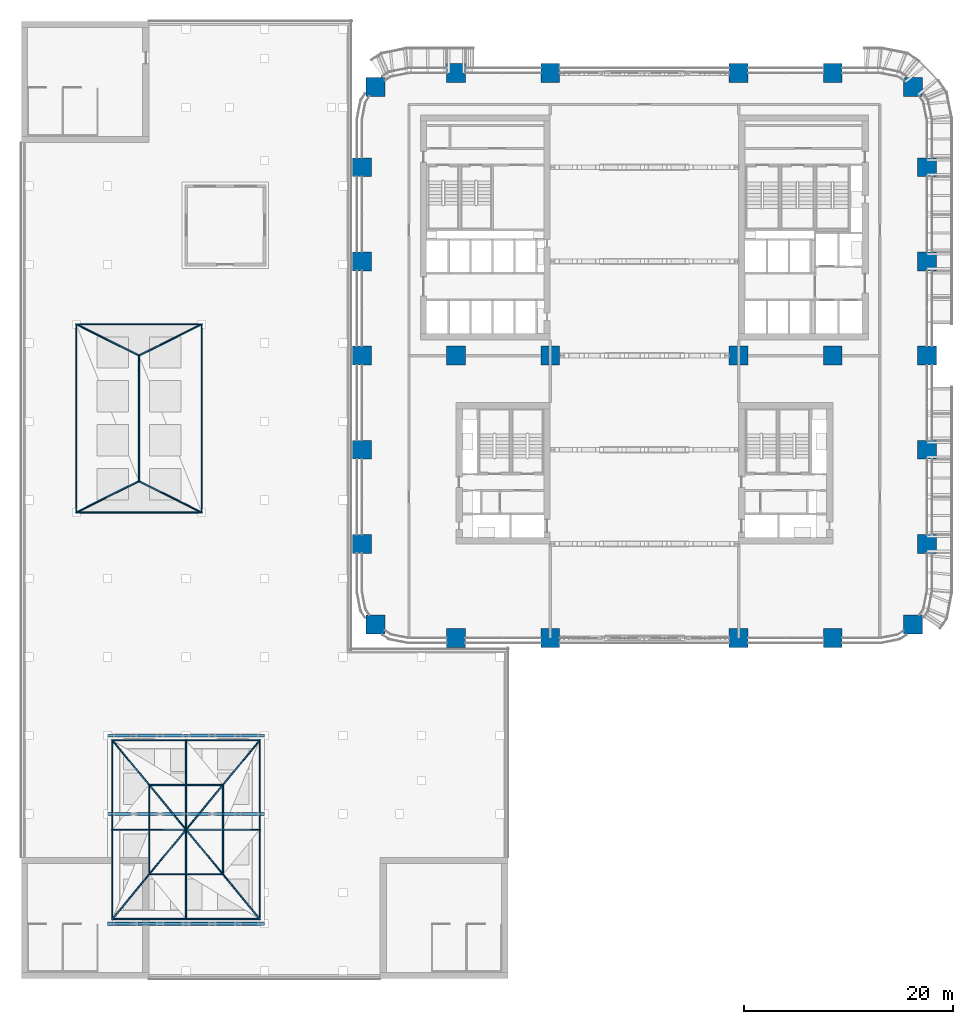
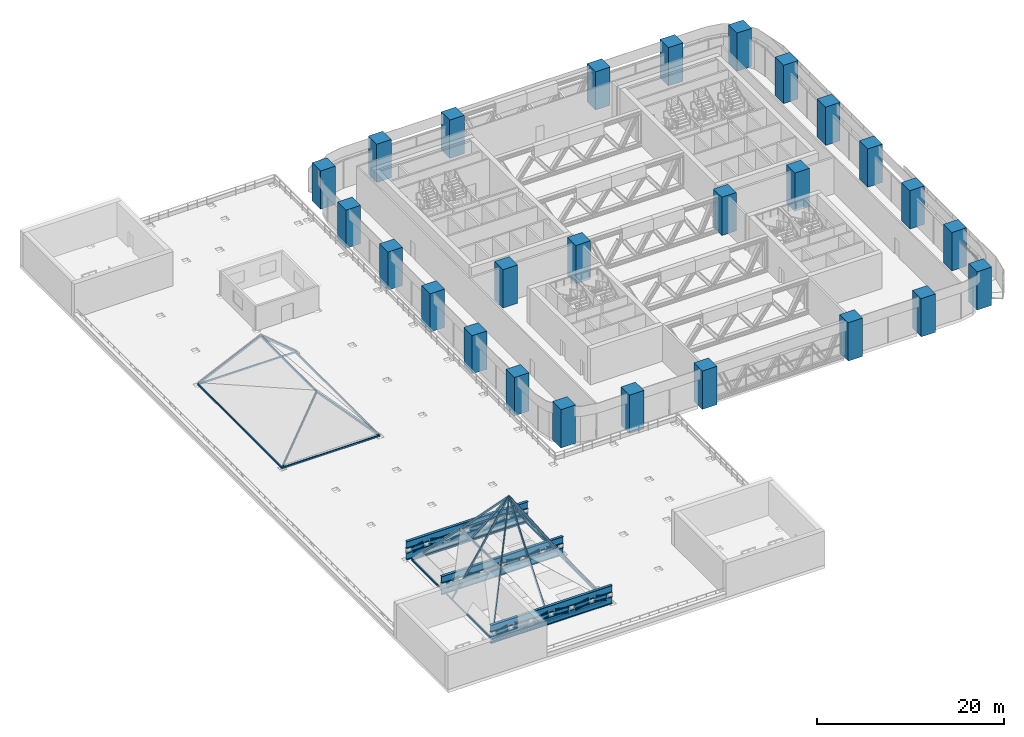
# One storey, part 1 of 35: 65 members, 26 columns.
"""IFC4 building model written with IfcOpenShell, lengths in metres."""

import ifcopenshell
import ifcopenshell.guid

model = None  # the IFC model being written
_history = None  # IfcOwnerHistory: only IFC2X3 demands one
_inside = {}  # id of a spatial element -> (the spatial element, [elements in it])
_under = {}  # id of a project, library or spatial element -> (it, [spatial elements below it])
_declared = {}  # id of a project -> (the project, [libraries it declares])
_typed = {}  # id of a type object -> (the type object, [elements of that type])
_made_of = {}  # id of a material, layer set ... -> (it, [elements and type objects made of it])


def new_model(schema):
    """Start an empty IFC model of exactly this schema.

    Asked for "IFC4X3", IfcOpenShell would pick the latest addendum, in which some entities
    have other attributes; the version numbers below select the first issue.
    IFC2X3 requires an IfcOwnerHistory on every rooted entity: one is made here for all.
    """
    global model, _history
    if schema == "IFC4X3":
        model = ifcopenshell.file(schema_version=(4, 3, 0, 0))
    else:
        model = ifcopenshell.file(schema=schema)
    _inside.clear()
    _under.clear()
    _declared.clear()
    _typed.clear()
    _made_of.clear()
    _history = None
    if model.schema == "IFC2X3":
        org = make("IfcOrganization", Name="unknown")
        user = make(
            "IfcPersonAndOrganization",
            ThePerson=make("IfcPerson", FamilyName="unknown"),
            TheOrganization=org,
        )
        app = make(
            "IfcApplication",
            ApplicationDeveloper=org,
            Version="unknown",
            ApplicationFullName="unknown",
            ApplicationIdentifier="unknown",
        )
        _history = make(
            "IfcOwnerHistory",
            OwningUser=user,
            OwningApplication=app,
            ChangeAction="ADDED",
            CreationDate=0,
        )
    return model


def make(cls, **values):
    """One entity of the class cls with the attributes given. An attribute that is None is left unset."""
    return model.create_entity(
        cls, **{name: value for name, value in values.items() if value is not None}
    )


def rooted(cls, **values):
    """An entity with a GlobalId (a new one), such as an element, a storey or a relation."""
    return make(cls, GlobalId=ifcopenshell.guid.new(), OwnerHistory=_history, **values)


def si_unit(unit_type, name, prefix=None):
    """IfcSIUnit, for example si_unit("LENGTHUNIT", "METRE", prefix="MILLI")."""
    return make("IfcSIUnit", UnitType=unit_type, Prefix=prefix, Name=name)


def assignment(units):
    """IfcUnitAssignment: the units of a project."""
    return None if units is None else make("IfcUnitAssignment", Units=units)


def point(xyz):
    """IfcCartesianPoint."""
    return None if xyz is None else make("IfcCartesianPoint", Coordinates=xyz)


def direction(xyz):
    """IfcDirection."""
    return None if xyz is None else make("IfcDirection", DirectionRatios=xyz)


def frame(location, z_axis=None, x_axis=None):
    """IfcAxis2Placement3D, a coordinate frame: its origin and axes. An axis left out is left unset."""
    return make(
        "IfcAxis2Placement3D",
        Location=point(location),
        Axis=direction(z_axis),
        RefDirection=direction(x_axis),
    )


def frame_2d(location, x_axis=None):
    """IfcAxis2Placement2D, a coordinate frame in the plane: its origin and x axis."""
    return make(
        "IfcAxis2Placement2D", Location=point(location), RefDirection=direction(x_axis)
    )


def origin():
    """The frame at (0, 0, 0) with its axes left unset."""
    return frame((0.0, 0.0, 0.0))


def origin_2d():
    """The frame at (0, 0) in the plane with its x axis left unset."""
    return frame_2d((0.0, 0.0))


def place(relative_to, where):
    """IfcLocalPlacement: puts the frame where relative to a parent placement (None: the world)."""
    return make(
        "IfcLocalPlacement", PlacementRelTo=relative_to, RelativePlacement=where
    )


def context(
    kind, dimensions, precision=None, world=None, true_north=None, identifier=None
):
    """IfcGeometricRepresentationContext, for example the 3D "Model" context."""
    return make(
        "IfcGeometricRepresentationContext",
        ContextIdentifier=identifier,
        ContextType=kind,
        CoordinateSpaceDimension=dimensions,
        Precision=precision,
        WorldCoordinateSystem=world,
        TrueNorth=true_north,
    )


def subcontext(parent, identifier, kind, view, scale=None):
    """IfcGeometricRepresentationSubContext, for example "Body" below "Model"."""
    return make(
        "IfcGeometricRepresentationSubContext",
        ContextIdentifier=identifier,
        ContextType=kind,
        ParentContext=parent,
        TargetScale=scale,
        TargetView=view,
    )


def project(units=None, contexts=None):
    """IfcProject with its units and contexts."""
    return rooted(
        "IfcProject",
        Name="project",
        RepresentationContexts=contexts,
        UnitsInContext=assignment(units),
    )


def spatial(cls, under=None, at=None, **own):
    """A site, building, storey or space (cls), placed at a placement, below another one or the project."""
    s = rooted(cls, ObjectPlacement=at, **own)
    if under is not None:
        _under.setdefault(under.id(), (under, []))[1].append(s)
    return s


def profile(cls, at=None, kind="AREA", **sizes):
    """A parametric profile (cls). Its sizes go by their IFC names, for example OverallWidth=200.0."""
    return make(cls, ProfileType=kind, Position=at, **sizes)


def rectangle(**sizes):
    """IfcRectangleProfileDef."""
    return profile("IfcRectangleProfileDef", **sizes)


def i_section(**sizes):
    """IfcIShapeProfileDef."""
    return profile("IfcIShapeProfileDef", **sizes)


def extrude(swept, where, along, depth):
    """IfcExtrudedAreaSolid: the profile swept, set in the frame where, extruded along a direction by depth."""
    return make(
        "IfcExtrudedAreaSolid",
        SweptArea=swept,
        Position=where,
        ExtrudedDirection=direction(along),
        Depth=depth,
    )


def shape(context_of_items, identifier, shape_type, items):
    """IfcShapeRepresentation: the items that make up one representation, for example the "Body"."""
    return make(
        "IfcShapeRepresentation",
        ContextOfItems=context_of_items,
        RepresentationIdentifier=identifier,
        RepresentationType=shape_type,
        Items=items,
    )


def material(Name=None, Category=None):
    """IfcMaterial."""
    return make("IfcMaterial", Name=Name, Category=Category)


def material_profile(
    of_material, cross_section, Name=None, Category=None, Priority=None
):
    """IfcMaterialProfile: a cross section and its material."""
    return make(
        "IfcMaterialProfile",
        Name=Name,
        Material=of_material,
        Profile=cross_section,
        Priority=Priority,
        Category=Category,
    )


def profile_set(profiles, Name=None, composite=None):
    """IfcMaterialProfileSet."""
    return make(
        "IfcMaterialProfileSet",
        Name=Name,
        MaterialProfiles=profiles,
        CompositeProfile=composite,
    )


def made_of(thing, what):
    """Note that an element or type object is made of a material, layer set ...; save() writes the relation."""
    if what is not None:
        _made_of.setdefault(what.id(), (what, []))[1].append(thing)
    return thing


def type_object(cls, material=None, **own):
    """A type object (cls), such as IfcWallType, which elements share."""
    return made_of(rooted(cls, **own), material)


def element(
    cls,
    number,
    at=None,
    inside=None,
    cuts=None,
    type_object=None,
    material=None,
    context=None,
    identifier="Body",
    shape_type=None,
    held_by="IfcProductDefinitionShape",
    body=None,
    shapes=None,
    **own,
):
    """One element of the class cls, such as IfcWall. Its Tag is "e" and its number.

    at: its placement. inside: the storey or other place that contains it. cuts: it is an
    opening in that element (IfcRelVoidsElement). A single representation is given by context,
    identifier, shape_type and body (its items); several are given by shapes. held_by: the class
    of the entity that holds the representations. save() writes the other relations.
    """
    e = rooted(cls, Tag="e%d" % number, ObjectPlacement=at, **own)
    if body is not None:
        shapes = [shape(context, identifier, shape_type, body)]
    if shapes is not None:
        e.Representation = make(held_by, Representations=shapes)
    if inside is not None:
        _inside.setdefault(inside.id(), (inside, []))[1].append(e)
    if cuts is not None:
        rooted(
            "IfcRelVoidsElement", RelatingBuildingElement=cuts, RelatedOpeningElement=e
        )
    if type_object is not None:
        _typed.setdefault(type_object.id(), (type_object, []))[1].append(e)
    return made_of(e, material)


def aggregate(whole, parts):
    """IfcRelAggregates: a whole, such as a stair, and the parts it consists of."""
    return rooted("IfcRelAggregates", RelatingObject=whole, RelatedObjects=parts)


def save(model, path):
    """Write the relations noted so far, then the file.

    IfcRelAggregates (storeys below a building ...), IfcRelContainedInSpatialStructure (elements
    in a storey), IfcRelDefinesByType, IfcRelAssociatesMaterial and IfcRelDeclares: one each for
    every whole, place, type object, material and project.
    """
    for whole, parts in _under.values():
        aggregate(whole, parts)
    for where, things in _inside.values():
        rooted(
            "IfcRelContainedInSpatialStructure",
            RelatedElements=things,
            RelatingStructure=where,
        )
    for kind, things in _typed.values():
        rooted("IfcRelDefinesByType", RelatedObjects=things, RelatingType=kind)
    for what, things in _made_of.values():
        rooted("IfcRelAssociatesMaterial", RelatedObjects=things, RelatingMaterial=what)
    for by, libraries in _declared.values():
        rooted("IfcRelDeclares", RelatingContext=by, RelatedDefinitions=libraries)
    model.write(path)


model = new_model("IFC4")

# Units and contexts
model_context = context("Model", 3, precision=1e-05, world=origin(), true_north=direction((0.0, 1.0)))
body_context = subcontext(model_context, "Body", "Model", "MODEL_VIEW")
ifc_project = project(units=[si_unit("LENGTHUNIT", "METRE"), si_unit("AREAUNIT", "SQUARE_METRE"), si_unit("VOLUMEUNIT", "CUBIC_METRE"), si_unit("PLANEANGLEUNIT", "RADIAN"), si_unit("MASSUNIT", "GRAM", prefix="KILO")], contexts=[model_context])

# Site, building, storey
site_placement = place(None, origin())
site = spatial("IfcSite", under=ifc_project, at=site_placement, CompositionType="ELEMENT")
building_placement = place(site_placement, origin())
building = spatial("IfcBuilding", under=site, at=building_placement, Name="Tessera Arch", CompositionType="ELEMENT")
storey_placement = place(building_placement, frame((0.0, 0.0, 26.0)))
storey = spatial("IfcBuildingStorey", under=building, at=storey_placement, Name="L04", CompositionType="ELEMENT", Elevation=26.0)

# Columns
ifc_material_1 = material(Name="Concrete C80/95", Category="concrete")
ifc_material_profile_1 = material_profile(ifc_material_1, rectangle(XDim=1.800048828125, YDim=1.800048828125, at=origin_2d()), Name="RC column 1800 x 1800 Concrete C80/95")
ifc_profile_set_1 = profile_set([ifc_material_profile_1], Name="Concrete C80/95")
column_type = type_object("IfcColumnType", Name="RC column 1800 x 1800 Concrete C80/95", PredefinedType="COLUMN", material=ifc_profile_set_1)
for number, where, z_axis, x_axis, name in (
    (1, (1.318115234375, 1.318115234375, 0.0), (0.0, 0.0, 1.0), (1.0, 0.0, 0.0), "Column C1A L04"),
    (2, (0.0, 9.0, 0.0), (0.0, 0.0, 1.0), (1.0, 0.0, 0.0), "Column C1B L04"),
    (3, (0.0, 18.0, 0.0), (0.0, 0.0, 1.0), (1.0, 0.0, 0.0), "Column C1C L04"),
    (4, (0.0, 27.0, 0.0), (0.0, 0.0, 1.0), (1.0, 0.0, 0.0), "Column C1D L04"),
    (5, (0.0, 36.0, 0.0), (0.0, 0.0, 1.0), (1.0, 0.0, 0.0), "Column C1E L04"),
    (6, (0.0, 45.0, 0.0), (0.0, 0.0, 1.0), (1.0, 0.0, 0.0), "Column C1F L04"),
    (7, (1.318115234375, 52.681884765625, 0.0), (0.0, 0.0, 1.0), (1.0, 0.0, 0.0), "Column C1G L04"),
    (8, (9.0, 0.0, 0.0), (0.0, 0.0, 1.0), (1.0, 0.0, 0.0), "Column C2A L04"),
    (9, (9.0, 27.0, 0.0), (0.0, 0.0, 1.0), (1.0, 0.0, 0.0), "Column C2D L04"),
    (10, (9.0, 54.0, 0.0), (0.0, 0.0, 1.0), (1.0, 0.0, 0.0), "Column C2G L04"),
    (11, (18.0, 0.0, 0.0), (0.0, 0.0, 1.0), (1.0, 0.0, 0.0), "Column C3A L04"),
    (12, (18.0, 27.0, 0.0), (0.0, 0.0, 1.0), (1.0, 0.0, 0.0), "Column C3D L04"),
    (13, (18.0, 54.0, 0.0), (0.0, 0.0, 1.0), (1.0, 0.0, 0.0), "Column C3G L04"),
    (14, (36.0, 0.0, 0.0), (0.0, 0.0, 1.0), (1.0, 0.0, 0.0), "Column C5A L04"),
    (15, (36.0, 27.0, 0.0), (0.0, 0.0, 1.0), (1.0, 0.0, 0.0), "Column C5D L04"),
    (16, (36.0, 54.0, 0.0), (0.0, 0.0, 1.0), (1.0, 0.0, 0.0), "Column C5G L04"),
    (17, (45.0, 0.0, 0.0), (0.0, 0.0, 1.0), (1.0, 0.0, 0.0), "Column C6A L04"),
    (18, (45.0, 27.0, 0.0), (0.0, 0.0, 1.0), (1.0, 0.0, 0.0), "Column C6D L04"),
    (19, (45.0, 54.0, 0.0), (0.0, 0.0, 1.0), (1.0, 0.0, 0.0), "Column C6G L04"),
    (20, (52.681884765625, 1.318115234375, 0.0), (0.0, 0.0, 1.0), (1.0, 0.0, 0.0), "Column C7A L04"),
    (21, (54.0, 9.0, 0.0), (0.0, 0.0, 1.0), (1.0, 0.0, 0.0), "Column C7B L04"),
    (22, (54.0, 18.0, 0.0), (0.0, 0.0, 1.0), (1.0, 0.0, 0.0), "Column C7C L04"),
    (23, (54.0, 27.0, 0.0), (0.0, 0.0, 1.0), (1.0, 0.0, 0.0), "Column C7D L04"),
    (24, (54.0, 36.0, 0.0), (0.0, 0.0, 1.0), (1.0, 0.0, 0.0), "Column C7E L04"),
    (25, (54.0, 45.0, 0.0), (0.0, 0.0, 1.0), (1.0, 0.0, 0.0), "Column C7F L04"),
    (26, (52.681884765625, 52.681884765625, 0.0), (0.0, 0.0, 1.0), (1.0, 0.0, 0.0), "Column C7G L04"),
):
    element("IfcColumn", number, at=place(storey_placement, frame(where, z_axis=z_axis, x_axis=x_axis)), inside=storey, type_object=column_type, Name=name, PredefinedType="COLUMN", context=body_context, shape_type="SweptSolid", body=[
        extrude(rectangle(XDim=1.800048828125, YDim=1.800048828125, at=origin_2d()), origin(), (0.0, 0.0, 1.0), 5.0),
    ])

# Members
ifc_material_2 = material(Name="Steel A992 Gr50", Category="steel")
ifc_material_profile_2 = material_profile(ifc_material_2, i_section(OverallWidth=0.307373046875, OverallDepth=0.927001953125, WebThickness=0.01953125, FlangeThickness=0.031982421875, at=origin_2d()), Name="W36x194")
ifc_profile_set_2 = profile_set([ifc_material_profile_2], Name="Steel A992 Gr50")
member_type_1 = type_object("IfcMemberType", Name="Museum truss chord W36x194 Steel A992 Gr50", PredefinedType="CHORD", material=ifc_profile_set_2)
for number, where, z_axis, x_axis, name in (
    (27, (-24.300048828125, -27.300048828125, 0.463623046875), (1.0, 0.0, 0.0), (0.0, 1.0, 0.0), "Museum truss A1 bottom chord"),
    (28, (-24.300048828125, -27.300048828125, 1.9365234375), (1.0, 0.0, 0.0), (0.0, 1.0, 0.0), "Museum truss A1 top chord"),
    (29, (-24.300048828125, -16.800048828125, 0.463623046875), (1.0, 0.0, 0.0), (0.0, 1.0, 0.0), "Museum truss A2 bottom chord"),
    (30, (-24.300048828125, -16.800048828125, 1.9365234375), (1.0, 0.0, 0.0), (0.0, 1.0, 0.0), "Museum truss A2 top chord"),
    (31, (-24.300048828125, -9.300048828125, 0.463623046875), (1.0, 0.0, 0.0), (0.0, 1.0, 0.0), "Museum truss A3 bottom chord"),
    (32, (-24.300048828125, -9.300048828125, 1.9365234375), (1.0, 0.0, 0.0), (0.0, 1.0, 0.0), "Museum truss A3 top chord"),
):
    element("IfcMember", number, at=place(storey_placement, frame(where, z_axis=z_axis, x_axis=x_axis)), inside=storey, type_object=member_type_1, Name=name, PredefinedType="CHORD", context=body_context, shape_type="SweptSolid", body=[
        extrude(i_section(OverallWidth=0.307373046875, OverallDepth=0.927001953125, WebThickness=0.01953125, FlangeThickness=0.031982421875, at=origin_2d()), origin(), (0.0, 0.0, 1.0), 15.0),
    ])
ifc_material_3 = material(Name="Steel A992 Gr50", Category="steel")
ifc_material_profile_3 = material_profile(ifc_material_3, i_section(OverallWidth=0.256591796875, OverallDepth=0.693359375, WebThickness=0.014404296875, FlangeThickness=0.023681640625, at=origin_2d()), Name="W27x114")
ifc_profile_set_3 = profile_set([ifc_material_profile_3], Name="Steel A992 Gr50")
member_type_2 = type_object("IfcMemberType", Name="Museum truss diagonal W27x114 Steel A992 Gr50", PredefinedType="BRACE", material=ifc_profile_set_3)
member_1_placement = place(storey_placement, frame((-23.675537109375, -27.300048828125, 1.0068359375), z_axis=(0.970491173137, 0.0, 0.241136647699), x_axis=(0.0, 1.0, 0.0)))
element("IfcMember", 33, at=member_1_placement, inside=storey, type_object=member_type_2, Name="Museum truss A1 diagonal 1", PredefinedType="BRACE", context=body_context, shape_type="SweptSolid", body=[
    extrude(i_section(OverallWidth=0.256591796875, OverallDepth=0.693359375, WebThickness=0.014404296875, FlangeThickness=0.023681640625, at=origin_2d()), origin(), (0.0, 0.0, 1.0), 1.601806640625),
])
for number, where, z_axis, x_axis, name in (
    (34, (-21.47900390625, -27.300048828125, 1.40283203125), (0.976998743123, 0.0, -0.213245060753), (0.0, 1.0, 0.0), "Museum truss A1 diagonal 2"),
    (35, (-18.97900390625, -27.300048828125, 0.997314453125), (0.976998743123, 0.0, 0.213245060753), (0.0, 1.0, 0.0), "Museum truss A1 diagonal 3"),
    (36, (-16.47900390625, -27.300048828125, 1.40283203125), (0.976998743123, 0.0, -0.213245060753), (0.0, 1.0, 0.0), "Museum truss A1 diagonal 4"),
    (37, (-13.97900390625, -27.300048828125, 0.997314453125), (0.976998743123, 0.0, 0.213245060753), (0.0, 1.0, 0.0), "Museum truss A1 diagonal 5"),
):
    element("IfcMember", number, at=place(storey_placement, frame(where, z_axis=z_axis, x_axis=x_axis)), inside=storey, type_object=member_type_2, Name=name, PredefinedType="BRACE", context=body_context, shape_type="SweptSolid", body=[
        extrude(i_section(OverallWidth=0.256591796875, OverallDepth=0.693359375, WebThickness=0.014404296875, FlangeThickness=0.023681640625, at=origin_2d()), origin(), (0.0, 0.0, 1.0), 1.901611328125),
    ])
for number, where, z_axis, x_axis, name in (
    (38, (-11.47900390625, -27.300048828125, 1.39306640625), (0.970491173137, 0.0, -0.241136647699), (0.0, 1.0, 0.0), "Museum truss A1 diagonal 6"),
    (39, (-23.675537109375, -16.800048828125, 1.0068359375), (0.970491173137, 0.0, 0.241136647699), (0.0, 1.0, 0.0), "Museum truss A2 diagonal 1"),
):
    element("IfcMember", number, at=place(storey_placement, frame(where, z_axis=z_axis, x_axis=x_axis)), inside=storey, type_object=member_type_2, Name=name, PredefinedType="BRACE", context=body_context, shape_type="SweptSolid", body=[
        extrude(i_section(OverallWidth=0.256591796875, OverallDepth=0.693359375, WebThickness=0.014404296875, FlangeThickness=0.023681640625, at=origin_2d()), origin(), (0.0, 0.0, 1.0), 1.601806640625),
    ])
for number, where, z_axis, x_axis, name in (
    (40, (-21.47900390625, -16.800048828125, 1.40283203125), (0.976998743123, 0.0, -0.213245060753), (0.0, 1.0, 0.0), "Museum truss A2 diagonal 2"),
    (41, (-18.97900390625, -16.800048828125, 0.997314453125), (0.976998743123, 0.0, 0.213245060753), (0.0, 1.0, 0.0), "Museum truss A2 diagonal 3"),
    (42, (-16.47900390625, -16.800048828125, 1.40283203125), (0.976998743123, 0.0, -0.213245060753), (0.0, 1.0, 0.0), "Museum truss A2 diagonal 4"),
    (43, (-13.97900390625, -16.800048828125, 0.997314453125), (0.976998743123, 0.0, 0.213245060753), (0.0, 1.0, 0.0), "Museum truss A2 diagonal 5"),
):
    element("IfcMember", number, at=place(storey_placement, frame(where, z_axis=z_axis, x_axis=x_axis)), inside=storey, type_object=member_type_2, Name=name, PredefinedType="BRACE", context=body_context, shape_type="SweptSolid", body=[
        extrude(i_section(OverallWidth=0.256591796875, OverallDepth=0.693359375, WebThickness=0.014404296875, FlangeThickness=0.023681640625, at=origin_2d()), origin(), (0.0, 0.0, 1.0), 1.901611328125),
    ])
for number, where, z_axis, x_axis, name in (
    (44, (-11.47900390625, -16.800048828125, 1.39306640625), (0.970491173137, 0.0, -0.241136647699), (0.0, 1.0, 0.0), "Museum truss A2 diagonal 6"),
    (45, (-23.675537109375, -9.300048828125, 1.0068359375), (0.970491173137, 0.0, 0.241136647699), (0.0, 1.0, 0.0), "Museum truss A3 diagonal 1"),
):
    element("IfcMember", number, at=place(storey_placement, frame(where, z_axis=z_axis, x_axis=x_axis)), inside=storey, type_object=member_type_2, Name=name, PredefinedType="BRACE", context=body_context, shape_type="SweptSolid", body=[
        extrude(i_section(OverallWidth=0.256591796875, OverallDepth=0.693359375, WebThickness=0.014404296875, FlangeThickness=0.023681640625, at=origin_2d()), origin(), (0.0, 0.0, 1.0), 1.601806640625),
    ])
for number, where, z_axis, x_axis, name in (
    (46, (-21.47900390625, -9.300048828125, 1.40283203125), (0.976998743123, 0.0, -0.213245060753), (0.0, 1.0, 0.0), "Museum truss A3 diagonal 2"),
    (47, (-18.97900390625, -9.300048828125, 0.997314453125), (0.976998743123, 0.0, 0.213245060753), (0.0, 1.0, 0.0), "Museum truss A3 diagonal 3"),
    (48, (-16.47900390625, -9.300048828125, 1.40283203125), (0.976998743123, 0.0, -0.213245060753), (0.0, 1.0, 0.0), "Museum truss A3 diagonal 4"),
    (49, (-13.97900390625, -9.300048828125, 0.997314453125), (0.976998743123, 0.0, 0.213245060753), (0.0, 1.0, 0.0), "Museum truss A3 diagonal 5"),
):
    element("IfcMember", number, at=place(storey_placement, frame(where, z_axis=z_axis, x_axis=x_axis)), inside=storey, type_object=member_type_2, Name=name, PredefinedType="BRACE", context=body_context, shape_type="SweptSolid", body=[
        extrude(i_section(OverallWidth=0.256591796875, OverallDepth=0.693359375, WebThickness=0.014404296875, FlangeThickness=0.023681640625, at=origin_2d()), origin(), (0.0, 0.0, 1.0), 1.901611328125),
    ])
member_2_placement = place(storey_placement, frame((-11.47900390625, -9.300048828125, 1.39306640625), z_axis=(0.970491173137, 0.0, -0.241136647699), x_axis=(0.0, 1.0, 0.0)))
element("IfcMember", 50, at=member_2_placement, inside=storey, type_object=member_type_2, Name="Museum truss A3 diagonal 6", PredefinedType="BRACE", context=body_context, shape_type="SweptSolid", body=[
    extrude(i_section(OverallWidth=0.256591796875, OverallDepth=0.693359375, WebThickness=0.014404296875, FlangeThickness=0.023681640625, at=origin_2d()), origin(), (0.0, 0.0, 1.0), 1.601806640625),
])
ifc_material_4 = material(Name="Aluminium alloy 6063-T6", Category="aluminium")
ifc_material_profile_4 = material_profile(ifc_material_4, rectangle(XDim=0.1201171875, YDim=0.199951171875, at=origin_2d()), Name="AL 120x200")
ifc_profile_set_4 = profile_set([ifc_material_profile_4], Name="Aluminium alloy 6063-T6")
member_type_3 = type_object("IfcMemberType", Name="Roof rib pale metal", PredefinedType="RAFTER", material=ifc_profile_set_4)
member_3_placement = place(storey_placement, frame((-23.85009765625, -26.85009765625, 0.10009765625), z_axis=(1.0, 0.0, 0.0), x_axis=(0.0, 1.0, 0.0)))
element("IfcMember", 51, at=member_3_placement, inside=storey, type_object=member_type_3, Name="Atrium roof base rib 1", PredefinedType="RAFTER", context=body_context, shape_type="SweptSolid", body=[
    extrude(rectangle(XDim=0.1201171875, YDim=0.199951171875, at=origin_2d()), origin(), (0.0, 0.0, 1.0), 7.050048828125),
])
member_4_placement = place(storey_placement, frame((-20.324951171875, -22.574951171875, 5.5), z_axis=(1.0, 0.0, 0.0), x_axis=(0.0, 1.0, 0.0)))
element("IfcMember", 52, at=member_4_placement, inside=storey, type_object=member_type_3, Name="Atrium roof ring rib 1", PredefinedType="RAFTER", context=body_context, shape_type="SweptSolid", body=[
    extrude(rectangle(XDim=0.1201171875, YDim=0.199951171875, at=origin_2d()), origin(), (0.0, 0.0, 1.0), 3.52490234375),
])
member_5_placement = place(storey_placement, frame((-23.85009765625, -26.85009765625, 0.10009765625), z_axis=(0.455616888732, 0.552552624045, 0.697924672413), x_axis=(-0.771537089841, 0.636184343567, 0.0)))
element("IfcMember", 53, at=member_5_placement, inside=storey, type_object=member_type_3, Name="Atrium roof hip rib 1", PredefinedType="RAFTER", context=body_context, shape_type="SweptSolid", body=[
    extrude(rectangle(XDim=0.1201171875, YDim=0.199951171875, at=origin_2d()), origin(), (0.0, 0.0, 1.0), 7.737060546875),
])
member_6_placement = place(storey_placement, frame((-20.324951171875, -22.574951171875, 5.5), z_axis=(0.447443633999, 0.542647044696, 0.710864529483), x_axis=(-0.77154088405, 0.636179742085, 0.0)))
element("IfcMember", 54, at=member_6_placement, inside=storey, type_object=member_type_3, Name="Atrium roof crown rib 1", PredefinedType="RAFTER", context=body_context, shape_type="SweptSolid", body=[
    extrude(rectangle(XDim=0.1201171875, YDim=0.199951171875, at=origin_2d()), origin(), (0.0, 0.0, 1.0), 7.8779296875),
])
member_7_placement = place(storey_placement, frame((-16.800048828125, -26.85009765625, 0.10009765625), z_axis=(1.0, 0.0, 0.0), x_axis=(0.0, 1.0, 0.0)))
element("IfcMember", 55, at=member_7_placement, inside=storey, type_object=member_type_3, Name="Atrium roof base rib 2", PredefinedType="RAFTER", context=body_context, shape_type="SweptSolid", body=[
    extrude(rectangle(XDim=0.1201171875, YDim=0.199951171875, at=origin_2d()), origin(), (0.0, 0.0, 1.0), 7.050048828125),
])
member_8_placement = place(storey_placement, frame((-16.800048828125, -22.574951171875, 5.5), z_axis=(1.0, 0.0, 0.0), x_axis=(0.0, 1.0, 0.0)))
element("IfcMember", 56, at=member_8_placement, inside=storey, type_object=member_type_3, Name="Atrium roof ring rib 2", PredefinedType="RAFTER", context=body_context, shape_type="SweptSolid", body=[
    extrude(rectangle(XDim=0.1201171875, YDim=0.199951171875, at=origin_2d()), origin(), (0.0, 0.0, 1.0), 3.525146484375),
])
member_9_placement = place(storey_placement, frame((-16.800048828125, -26.85009765625, 0.10009765625), z_axis=(0.0, 0.620722918905, 0.78403001087), x_axis=(-1.0, 0.0, 0.0)))
element("IfcMember", 57, at=member_9_placement, inside=storey, type_object=member_type_3, Name="Atrium roof hip rib 2", PredefinedType="RAFTER", context=body_context, shape_type="SweptSolid", body=[
    extrude(rectangle(XDim=0.1201171875, YDim=0.199951171875, at=origin_2d()), origin(), (0.0, 0.0, 1.0), 6.887451171875),
])
member_10_placement = place(storey_placement, frame((-16.800048828125, -22.574951171875, 5.5), z_axis=(0.0, 0.606775893561, 0.794872955254), x_axis=(-1.0, 0.0, 0.0)))
element("IfcMember", 58, at=member_10_placement, inside=storey, type_object=member_type_3, Name="Atrium roof crown rib 2", PredefinedType="RAFTER", context=body_context, shape_type="SweptSolid", body=[
    extrude(rectangle(XDim=0.1201171875, YDim=0.199951171875, at=origin_2d()), origin(), (0.0, 0.0, 1.0), 7.045166015625),
])
member_11_placement = place(storey_placement, frame((-9.75, -26.85009765625, 0.10009765625), z_axis=(0.0, 1.0, 0.0), x_axis=(-1.0, 0.0, 0.0)))
element("IfcMember", 59, at=member_11_placement, inside=storey, type_object=member_type_3, Name="Atrium roof base rib 3", PredefinedType="RAFTER", context=body_context, shape_type="SweptSolid", body=[
    extrude(rectangle(XDim=0.1201171875, YDim=0.199951171875, at=origin_2d()), origin(), (0.0, 0.0, 1.0), 8.550048828125),
])
member_12_placement = place(storey_placement, frame((-13.27490234375, -22.574951171875, 5.5), z_axis=(0.0, 1.0, 0.0), x_axis=(-1.0, 0.0, 0.0)))
element("IfcMember", 60, at=member_12_placement, inside=storey, type_object=member_type_3, Name="Atrium roof ring rib 3", PredefinedType="RAFTER", context=body_context, shape_type="SweptSolid", body=[
    extrude(rectangle(XDim=0.1201171875, YDim=0.199951171875, at=origin_2d()), origin(), (0.0, 0.0, 1.0), 4.27490234375),
])
member_13_placement = place(storey_placement, frame((-9.75, -26.85009765625, 0.10009765625), z_axis=(-0.455591883909, 0.552560567885, 0.697934706212), x_axis=(-0.771558716471, -0.636158114809, 0.0)))
element("IfcMember", 61, at=member_13_placement, inside=storey, type_object=member_type_3, Name="Atrium roof hip rib 3", PredefinedType="RAFTER", context=body_context, shape_type="SweptSolid", body=[
    extrude(rectangle(XDim=0.1201171875, YDim=0.199951171875, at=origin_2d()), origin(), (0.0, 0.0, 1.0), 7.737060546875),
])
member_14_placement = place(storey_placement, frame((-13.27490234375, -22.574951171875, 5.5), z_axis=(-0.44746841966, 0.542639519929, 0.71085467208), x_axis=(-0.771519256448, -0.636205970523, 0.0)))
element("IfcMember", 62, at=member_14_placement, inside=storey, type_object=member_type_3, Name="Atrium roof crown rib 3", PredefinedType="RAFTER", context=body_context, shape_type="SweptSolid", body=[
    extrude(rectangle(XDim=0.1201171875, YDim=0.199951171875, at=origin_2d()), origin(), (0.0, 0.0, 1.0), 7.8779296875),
])
member_15_placement = place(storey_placement, frame((-9.75, -18.300048828125, 0.10009765625), z_axis=(0.0, 1.0, 0.0), x_axis=(-1.0, 0.0, 0.0)))
element("IfcMember", 63, at=member_15_placement, inside=storey, type_object=member_type_3, Name="Atrium roof base rib 4", PredefinedType="RAFTER", context=body_context, shape_type="SweptSolid", body=[
    extrude(rectangle(XDim=0.1201171875, YDim=0.199951171875, at=origin_2d()), origin(), (0.0, 0.0, 1.0), 8.550048828125),
])
member_16_placement = place(storey_placement, frame((-13.27490234375, -18.300048828125, 5.5), z_axis=(0.0, 1.0, 0.0), x_axis=(-1.0, 0.0, 0.0)))
element("IfcMember", 64, at=member_16_placement, inside=storey, type_object=member_type_3, Name="Atrium roof ring rib 4", PredefinedType="RAFTER", context=body_context, shape_type="SweptSolid", body=[
    extrude(rectangle(XDim=0.1201171875, YDim=0.199951171875, at=origin_2d()), origin(), (0.0, 0.0, 1.0), 4.275146484375),
])
member_17_placement = place(storey_placement, frame((-9.75, -18.300048828125, 0.10009765625), z_axis=(-0.546618813792, 0.0, 0.837381557242), x_axis=(0.0, -1.0, 0.0)))
element("IfcMember", 65, at=member_17_placement, inside=storey, type_object=member_type_3, Name="Atrium roof hip rib 4", PredefinedType="RAFTER", context=body_context, shape_type="SweptSolid", body=[
    extrude(rectangle(XDim=0.1201171875, YDim=0.199951171875, at=origin_2d()), origin(), (0.0, 0.0, 1.0), 6.448486328125),
])
member_18_placement = place(storey_placement, frame((-13.27490234375, -18.300048828125, 5.5), z_axis=(-0.532722262148, 0.0, 0.846290134299), x_axis=(0.0, -1.0, 0.0)))
element("IfcMember", 66, at=member_18_placement, inside=storey, type_object=member_type_3, Name="Atrium roof crown rib 4", PredefinedType="RAFTER", context=body_context, shape_type="SweptSolid", body=[
    extrude(rectangle(XDim=0.1201171875, YDim=0.199951171875, at=origin_2d()), origin(), (0.0, 0.0, 1.0), 6.6171875),
])
member_19_placement = place(storey_placement, frame((-9.75, -9.75, 0.10009765625), z_axis=(-1.0, 0.0, 0.0), x_axis=(0.0, -1.0, 0.0)))
element("IfcMember", 67, at=member_19_placement, inside=storey, type_object=member_type_3, Name="Atrium roof base rib 5", PredefinedType="RAFTER", context=body_context, shape_type="SweptSolid", body=[
    extrude(rectangle(XDim=0.1201171875, YDim=0.199951171875, at=origin_2d()), origin(), (0.0, 0.0, 1.0), 7.050048828125),
])
member_20_placement = place(storey_placement, frame((-13.27490234375, -14.02490234375, 5.5), z_axis=(-1.0, 0.0, 0.0), x_axis=(0.0, -1.0, 0.0)))
element("IfcMember", 68, at=member_20_placement, inside=storey, type_object=member_type_3, Name="Atrium roof ring rib 5", PredefinedType="RAFTER", context=body_context, shape_type="SweptSolid", body=[
    extrude(rectangle(XDim=0.1201171875, YDim=0.199951171875, at=origin_2d()), origin(), (0.0, 0.0, 1.0), 3.525146484375),
])
member_21_placement = place(storey_placement, frame((-9.75, -9.75, 0.10009765625), z_axis=(-0.455599827626, -0.552538646746, 0.697946875428), x_axis=(0.77154088405, -0.636179742085, 0.0)))
element("IfcMember", 69, at=member_21_placement, inside=storey, type_object=member_type_3, Name="Atrium roof hip rib 5", PredefinedType="RAFTER", context=body_context, shape_type="SweptSolid", body=[
    extrude(rectangle(XDim=0.1201171875, YDim=0.199951171875, at=origin_2d()), origin(), (0.0, 0.0, 1.0), 7.73681640625),
])
member_22_placement = place(storey_placement, frame((-13.27490234375, -14.02490234375, 5.5), z_axis=(-0.447460894764, -0.542661384321, 0.710842717923), x_axis=(0.771537089841, -0.636184343567, 0.0)))
element("IfcMember", 70, at=member_22_placement, inside=storey, type_object=member_type_3, Name="Atrium roof crown rib 5", PredefinedType="RAFTER", context=body_context, shape_type="SweptSolid", body=[
    extrude(rectangle(XDim=0.1201171875, YDim=0.199951171875, at=origin_2d()), origin(), (0.0, 0.0, 1.0), 7.878173828125),
])
member_23_placement = place(storey_placement, frame((-16.800048828125, -9.75, 0.10009765625), z_axis=(-1.0, 0.0, 0.0), x_axis=(0.0, -1.0, 0.0)))
element("IfcMember", 71, at=member_23_placement, inside=storey, type_object=member_type_3, Name="Atrium roof base rib 6", PredefinedType="RAFTER", context=body_context, shape_type="SweptSolid", body=[
    extrude(rectangle(XDim=0.1201171875, YDim=0.199951171875, at=origin_2d()), origin(), (0.0, 0.0, 1.0), 7.050048828125),
])
member_24_placement = place(storey_placement, frame((-16.800048828125, -14.02490234375, 5.5), z_axis=(-1.0, 0.0, 0.0), x_axis=(0.0, -1.0, 0.0)))
element("IfcMember", 72, at=member_24_placement, inside=storey, type_object=member_type_3, Name="Atrium roof ring rib 6", PredefinedType="RAFTER", context=body_context, shape_type="SweptSolid", body=[
    extrude(rectangle(XDim=0.1201171875, YDim=0.199951171875, at=origin_2d()), origin(), (0.0, 0.0, 1.0), 3.52490234375),
])
member_25_placement = place(storey_placement, frame((-16.800048828125, -9.75, 0.10009765625), z_axis=(0.0, -0.620701128438, 0.784047262067), x_axis=(1.0, 0.0, 0.0)))
element("IfcMember", 73, at=member_25_placement, inside=storey, type_object=member_type_3, Name="Atrium roof hip rib 6", PredefinedType="RAFTER", context=body_context, shape_type="SweptSolid", body=[
    extrude(rectangle(XDim=0.1201171875, YDim=0.199951171875, at=origin_2d()), origin(), (0.0, 0.0, 1.0), 6.88720703125),
])
member_26_placement = place(storey_placement, frame((-16.800048828125, -14.02490234375, 5.5), z_axis=(0.0, -0.6067977875, 0.794856241773), x_axis=(1.0, 0.0, 0.0)))
element("IfcMember", 74, at=member_26_placement, inside=storey, type_object=member_type_3, Name="Atrium roof crown rib 6", PredefinedType="RAFTER", context=body_context, shape_type="SweptSolid", body=[
    extrude(rectangle(XDim=0.1201171875, YDim=0.199951171875, at=origin_2d()), origin(), (0.0, 0.0, 1.0), 7.04541015625),
])
member_27_placement = place(storey_placement, frame((-23.85009765625, -9.75, 0.10009765625), z_axis=(0.0, -1.0, 0.0), x_axis=(1.0, 0.0, 0.0)))
element("IfcMember", 75, at=member_27_placement, inside=storey, type_object=member_type_3, Name="Atrium roof base rib 7", PredefinedType="RAFTER", context=body_context, shape_type="SweptSolid", body=[
    extrude(rectangle(XDim=0.1201171875, YDim=0.199951171875, at=origin_2d()), origin(), (0.0, 0.0, 1.0), 8.550048828125),
])
member_28_placement = place(storey_placement, frame((-20.324951171875, -14.02490234375, 5.5), z_axis=(0.0, -1.0, 0.0), x_axis=(1.0, 0.0, 0.0)))
element("IfcMember", 76, at=member_28_placement, inside=storey, type_object=member_type_3, Name="Atrium roof ring rib 7", PredefinedType="RAFTER", context=body_context, shape_type="SweptSolid", body=[
    extrude(rectangle(XDim=0.1201171875, YDim=0.199951171875, at=origin_2d()), origin(), (0.0, 0.0, 1.0), 4.275146484375),
])
member_29_placement = place(storey_placement, frame((-23.85009765625, -9.75, 0.10009765625), z_axis=(0.455624832657, -0.552530702945, 0.697936841104), x_axis=(0.771519256448, 0.636205970523, 0.0)))
element("IfcMember", 77, at=member_29_placement, inside=storey, type_object=member_type_3, Name="Atrium roof hip rib 7", PredefinedType="RAFTER", context=body_context, shape_type="SweptSolid", body=[
    extrude(rectangle(XDim=0.1201171875, YDim=0.199951171875, at=origin_2d()), origin(), (0.0, 0.0, 1.0), 7.737060546875),
])
member_30_placement = place(storey_placement, frame((-20.324951171875, -14.02490234375, 5.5), z_axis=(0.447436109311, -0.542668909138, 0.710852574828), x_axis=(0.771558716471, 0.636158114809, 0.0)))
element("IfcMember", 78, at=member_30_placement, inside=storey, type_object=member_type_3, Name="Atrium roof crown rib 7", PredefinedType="RAFTER", context=body_context, shape_type="SweptSolid", body=[
    extrude(rectangle(XDim=0.1201171875, YDim=0.199951171875, at=origin_2d()), origin(), (0.0, 0.0, 1.0), 7.8779296875),
])
member_31_placement = place(storey_placement, frame((-23.85009765625, -18.300048828125, 0.10009765625), z_axis=(0.0, -1.0, 0.0), x_axis=(1.0, 0.0, 0.0)))
element("IfcMember", 79, at=member_31_placement, inside=storey, type_object=member_type_3, Name="Atrium roof base rib 8", PredefinedType="RAFTER", context=body_context, shape_type="SweptSolid", body=[
    extrude(rectangle(XDim=0.1201171875, YDim=0.199951171875, at=origin_2d()), origin(), (0.0, 0.0, 1.0), 8.550048828125),
])
member_32_placement = place(storey_placement, frame((-20.324951171875, -18.300048828125, 5.5), z_axis=(0.0, -1.0, 0.0), x_axis=(1.0, 0.0, 0.0)))
element("IfcMember", 80, at=member_32_placement, inside=storey, type_object=member_type_3, Name="Atrium roof ring rib 8", PredefinedType="RAFTER", context=body_context, shape_type="SweptSolid", body=[
    extrude(rectangle(XDim=0.1201171875, YDim=0.199951171875, at=origin_2d()), origin(), (0.0, 0.0, 1.0), 4.27490234375),
])
member_33_placement = place(storey_placement, frame((-23.85009765625, -18.300048828125, 0.10009765625), z_axis=(0.54664536051, 0.0, 0.837364227701), x_axis=(0.0, 1.0, 0.0)))
element("IfcMember", 81, at=member_33_placement, inside=storey, type_object=member_type_3, Name="Atrium roof hip rib 8", PredefinedType="RAFTER", context=body_context, shape_type="SweptSolid", body=[
    extrude(rectangle(XDim=0.1201171875, YDim=0.199951171875, at=origin_2d()), origin(), (0.0, 0.0, 1.0), 6.44873046875),
])
member_34_placement = place(storey_placement, frame((-20.324951171875, -18.300048828125, 5.5), z_axis=(0.532695837142, 0.0, 0.846306767722), x_axis=(0.0, 1.0, 0.0)))
element("IfcMember", 82, at=member_34_placement, inside=storey, type_object=member_type_3, Name="Atrium roof crown rib 8", PredefinedType="RAFTER", context=body_context, shape_type="SweptSolid", body=[
    extrude(rectangle(XDim=0.1201171875, YDim=0.199951171875, at=origin_2d()), origin(), (0.0, 0.0, 1.0), 6.6171875),
])
member_35_placement = place(storey_placement, frame((-27.300048828125, 12.0, 0.10009765625), z_axis=(1.0, 0.0, 0.0), x_axis=(0.0, 1.0, 0.0)))
element("IfcMember", 83, at=member_35_placement, inside=storey, type_object=member_type_3, Name="Courtyard roof base rib 1", PredefinedType="RAFTER", context=body_context, shape_type="SweptSolid", body=[
    extrude(rectangle(XDim=0.1201171875, YDim=0.199951171875, at=origin_2d()), origin(), (0.0, 0.0, 1.0), 12.0),
])
member_36_placement = place(storey_placement, frame((-15.300048828125, 12.0, 0.10009765625), z_axis=(0.0, 1.0, 0.0), x_axis=(-1.0, 0.0, 0.0)))
element("IfcMember", 84, at=member_36_placement, inside=storey, type_object=member_type_3, Name="Courtyard roof base rib 2", PredefinedType="RAFTER", context=body_context, shape_type="SweptSolid", body=[
    extrude(rectangle(XDim=0.1201171875, YDim=0.199951171875, at=origin_2d()), origin(), (0.0, 0.0, 1.0), 18.0),
])
member_37_placement = place(storey_placement, frame((-15.300048828125, 30.0, 0.10009765625), z_axis=(-1.0, 0.0, 0.0), x_axis=(0.0, -1.0, 0.0)))
element("IfcMember", 85, at=member_37_placement, inside=storey, type_object=member_type_3, Name="Courtyard roof base rib 3", PredefinedType="RAFTER", context=body_context, shape_type="SweptSolid", body=[
    extrude(rectangle(XDim=0.1201171875, YDim=0.199951171875, at=origin_2d()), origin(), (0.0, 0.0, 1.0), 12.0),
])
member_38_placement = place(storey_placement, frame((-27.300048828125, 30.0, 0.10009765625), z_axis=(0.0, -1.0, 0.0), x_axis=(1.0, 0.0, 0.0)))
element("IfcMember", 86, at=member_38_placement, inside=storey, type_object=member_type_3, Name="Courtyard roof base rib 4", PredefinedType="RAFTER", context=body_context, shape_type="SweptSolid", body=[
    extrude(rectangle(XDim=0.1201171875, YDim=0.199951171875, at=origin_2d()), origin(), (0.0, 0.0, 1.0), 18.0),
])
for number, where, z_axis, x_axis, name in (
    (87, (-27.300048828125, 12.0, 0.10009765625), (0.666666666667, 0.333333333333, 0.666666666667), (-0.4472135955, 0.894427191, 0.0), "Courtyard roof hip rib 1"),
    (88, (-15.300048828125, 12.0, 0.10009765625), (-0.666666666667, 0.333333333333, 0.666666666667), (-0.4472135955, -0.894427191, 0.0), "Courtyard roof hip rib 2"),
    (89, (-15.300048828125, 30.0, 0.10009765625), (-0.666666666667, -0.333333333333, 0.666666666667), (0.4472135955, -0.894427191, 0.0), "Courtyard roof hip rib 3"),
    (90, (-27.300048828125, 30.0, 0.10009765625), (0.666666666667, -0.333333333333, 0.666666666667), (0.4472135955, 0.894427191, 0.0), "Courtyard roof hip rib 4"),
):
    element("IfcMember", number, at=place(storey_placement, frame(where, z_axis=z_axis, x_axis=x_axis)), inside=storey, type_object=member_type_3, Name=name, PredefinedType="RAFTER", context=body_context, shape_type="SweptSolid", body=[
        extrude(rectangle(XDim=0.1201171875, YDim=0.199951171875, at=origin_2d()), origin(), (0.0, 0.0, 1.0), 9.0),
    ])
member_39_placement = place(storey_placement, frame((-21.300048828125, 15.0, 6.10009765625), z_axis=(0.0, 1.0, 0.0), x_axis=(-1.0, 0.0, 0.0)))
element("IfcMember", 91, at=member_39_placement, inside=storey, type_object=member_type_3, Name="Courtyard roof ridge rib", PredefinedType="RAFTER", context=body_context, shape_type="SweptSolid", body=[
    extrude(rectangle(XDim=0.1201171875, YDim=0.199951171875, at=origin_2d()), origin(), (0.0, 0.0, 1.0), 12.0),
])

save(model, "model.ifc")
